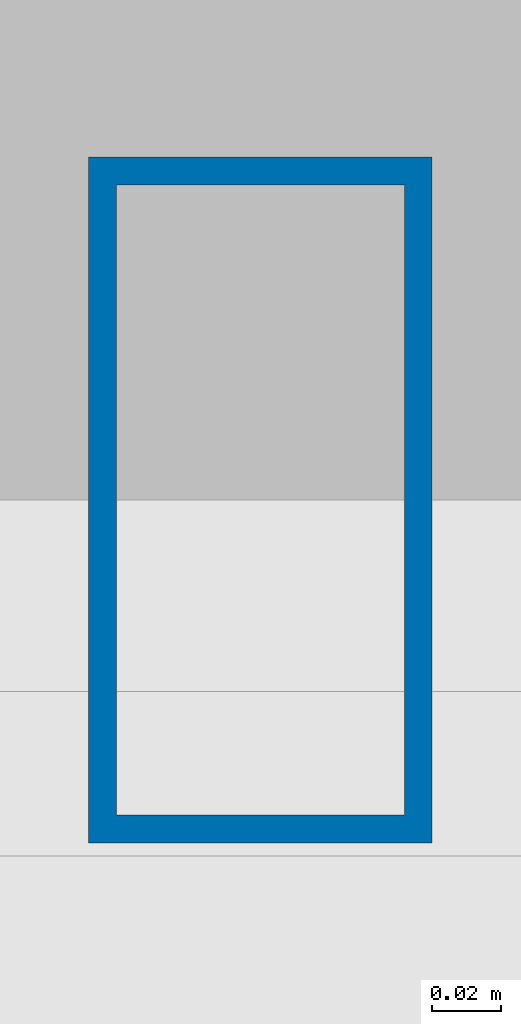
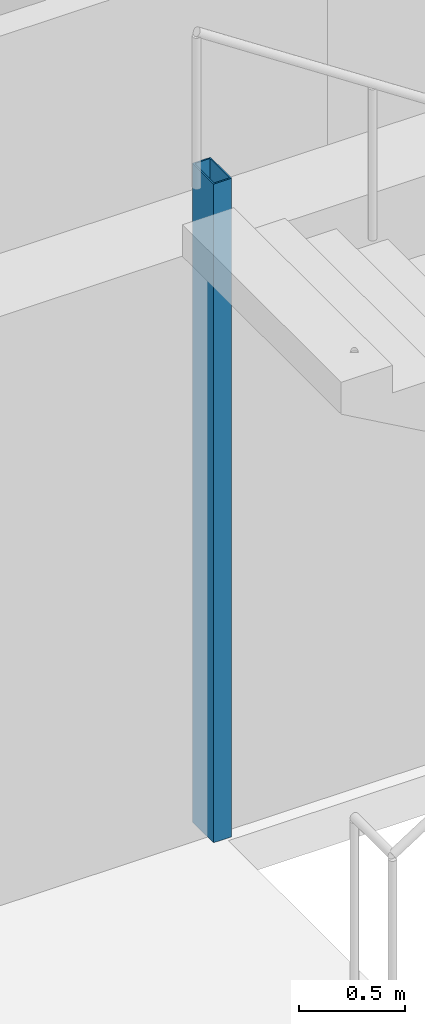
# One storey, part 2 of 17: 1 column.
"""IFC4 building model written with IfcOpenShell, lengths in metres."""

from ifc_helpers import new_model, si_unit, direction, frame, origin, origin_2d, place, context, subcontext, project, spatial, hollow_rectangle, extrude, material, material_profile, profile_set, type_object, element, save


model = new_model("IFC4")

# Units and contexts
model_context = context("Model", 3, precision=1e-05, world=origin(), true_north=direction((0.0, 1.0)))
body_context = subcontext(model_context, "Body", "Model", "MODEL_VIEW")
ifc_project = project(units=[si_unit("LENGTHUNIT", "METRE"), si_unit("AREAUNIT", "SQUARE_METRE"), si_unit("VOLUMEUNIT", "CUBIC_METRE"), si_unit("PLANEANGLEUNIT", "RADIAN"), si_unit("MASSUNIT", "GRAM", prefix="KILO")], contexts=[model_context])

# Site, building, storey
site_placement = place(None, origin())
site = spatial("IfcSite", under=ifc_project, at=site_placement, CompositionType="ELEMENT")
building_placement = place(site_placement, origin())
building = spatial("IfcBuilding", under=site, at=building_placement, Name="Menara Jurai Vektor", CompositionType="ELEMENT")
storey_placement = place(building_placement, frame((0.0, 0.0, 75.0)))
storey = spatial("IfcBuildingStorey", under=building, at=storey_placement, Name="L18", CompositionType="ELEMENT", Elevation=75.0)

# Column
ifc_material = material(Name="Steel S355", Category="steel")
ifc_material_profile = material_profile(ifc_material, hollow_rectangle(XDim=0.10009765625, YDim=0.199951171875, WallThickness=0.008056640625, at=origin_2d()), Name="RHS 200x100x8")
ifc_profile_set = profile_set([ifc_material_profile], Name="Steel S355")
column_type = type_object("IfcColumnType", Name="STR-COL-STAIR", PredefinedType="COLUMN", material=ifc_profile_set)
column_placement = place(storey_placement, frame((-11.1201171875, 5.419921875, 0.0), z_axis=(0.0, 0.0, 1.0), x_axis=(1.0, 0.0, 0.0)))
element("IfcColumn", 1, at=column_placement, inside=storey, type_object=column_type, Name="Stair Well Header Column ST1-P2 L18", PredefinedType="COLUMN", context=body_context, shape_type="SweptSolid", body=[
    extrude(hollow_rectangle(XDim=0.10009765625, YDim=0.199951171875, WallThickness=0.008056640625, at=origin_2d()), origin(), (0.0, 0.0, 1.0), 3.800048828125),
])

save(model, "model.ifc")
